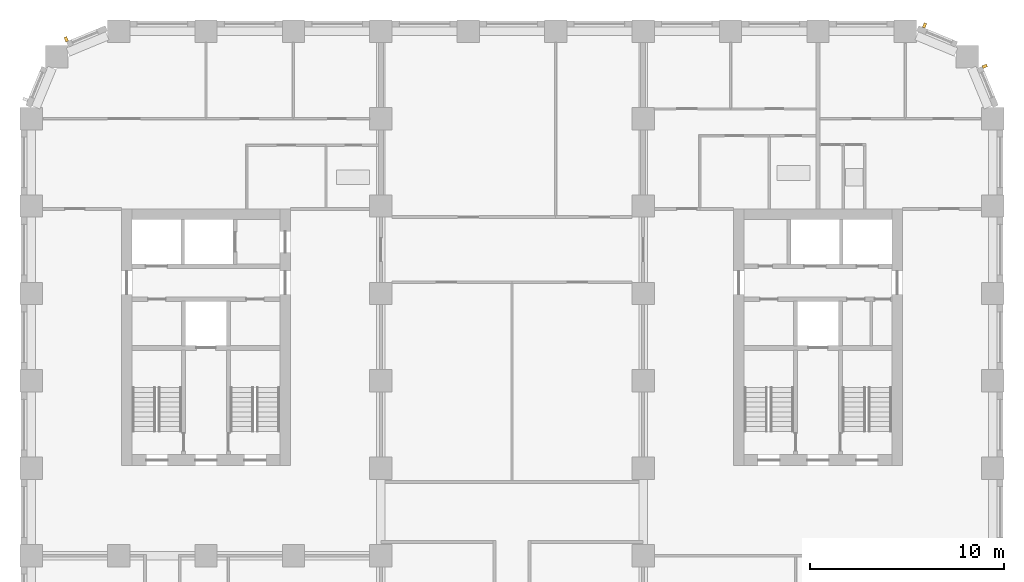
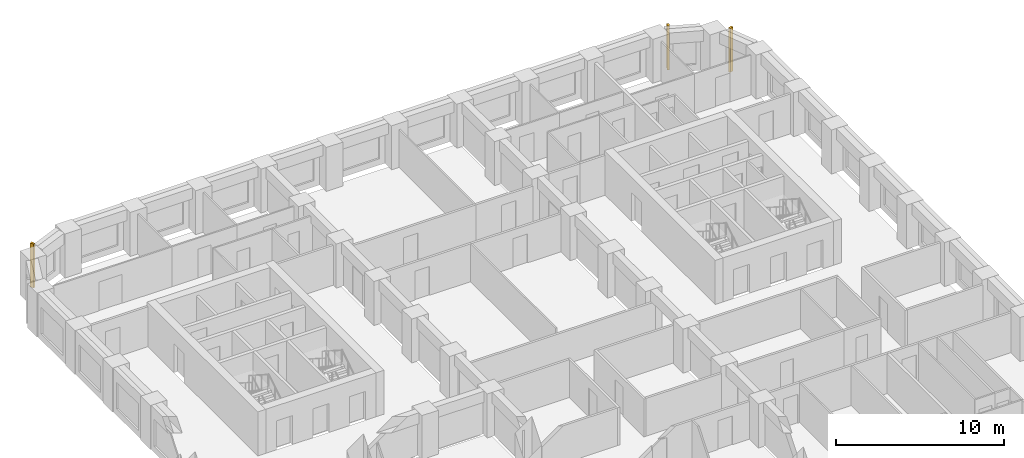
# One storey, part 11 of 12: 3 shading devices.
"""IFC4 building model written with IfcOpenShell, lengths in metres."""

from ifc_helpers import new_model, si_unit, direction, frame, origin, origin_2d, place, context, subcontext, project, spatial, rectangle, extrude, material, type_object, element, save


model = new_model("IFC4")

# Units and contexts
model_context = context("Model", 3, precision=1e-05, world=origin(), true_north=direction((0.0, 1.0)))
body_context = subcontext(model_context, "Body", "Model", "MODEL_VIEW")
ifc_project = project(units=[si_unit("LENGTHUNIT", "METRE"), si_unit("AREAUNIT", "SQUARE_METRE"), si_unit("VOLUMEUNIT", "CUBIC_METRE"), si_unit("PLANEANGLEUNIT", "RADIAN"), si_unit("MASSUNIT", "GRAM", prefix="KILO")], contexts=[model_context])

# Site, building, storey
site_placement = place(None, origin())
site = spatial("IfcSite", under=ifc_project, at=site_placement, CompositionType="ELEMENT")
building_placement = place(site_placement, origin())
building = spatial("IfcBuilding", under=site, at=building_placement, Name="Girih Gate Residences", CompositionType="ELEMENT")
storey_placement = place(building_placement, frame((0.0, 0.0, 118.39990234375)))
storey = spatial("IfcBuildingStorey", under=building, at=storey_placement, Name="L33", CompositionType="ELEMENT", Elevation=118.39990234375)

# Shading devices
ifc_material = material(Name="Precast concrete C50/60", Category="concrete")
shading_device_type = type_object("IfcShadingDeviceType", Name="Corner rib 150x250", PredefinedType="USERDEFINED", material=ifc_material)
for number, where, z_axis, x_axis, name in (
    (1, (49.087646484375, 47.6943359375, 0.0), (0.0, 0.0, 1.0), (-0.382683432365, 0.923879532511, 0.0), "Corner rib NE0495_0450.0"),
    (2, (45.985107421875, 49.79541015625, 0.0), (0.0, 0.0, 1.0), (-0.923879532511, 0.382683432365, 0.0), "Corner rib NE0482_0482.0"),
    (3, (1.8056640625, 49.087646484375, 0.0), (0.0, 0.0, 1.0), (-0.923879532511, -0.382683432365, 0.0), "Corner rib NW0045_0495.0"),
):
    element("IfcShadingDevice", number, at=place(storey_placement, frame(where, z_axis=z_axis, x_axis=x_axis)), inside=storey, type_object=shading_device_type, Name=name, ObjectType="FIN", PredefinedType="USERDEFINED", context=body_context, shape_type="SweptSolid", body=[
        extrude(rectangle(XDim=0.14990234375, YDim=0.25, at=origin_2d()), origin(), (0.0, 0.0, 1.0), 3.199951171875),
    ])

save(model, "model.ifc")
